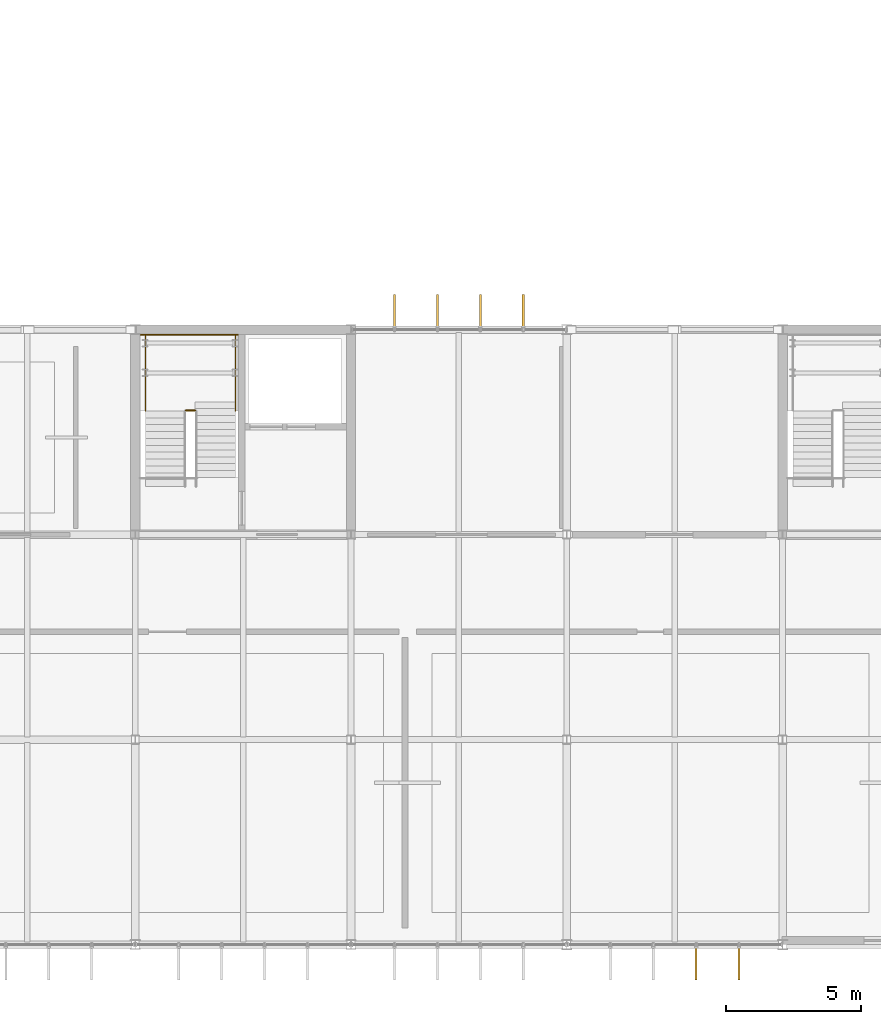
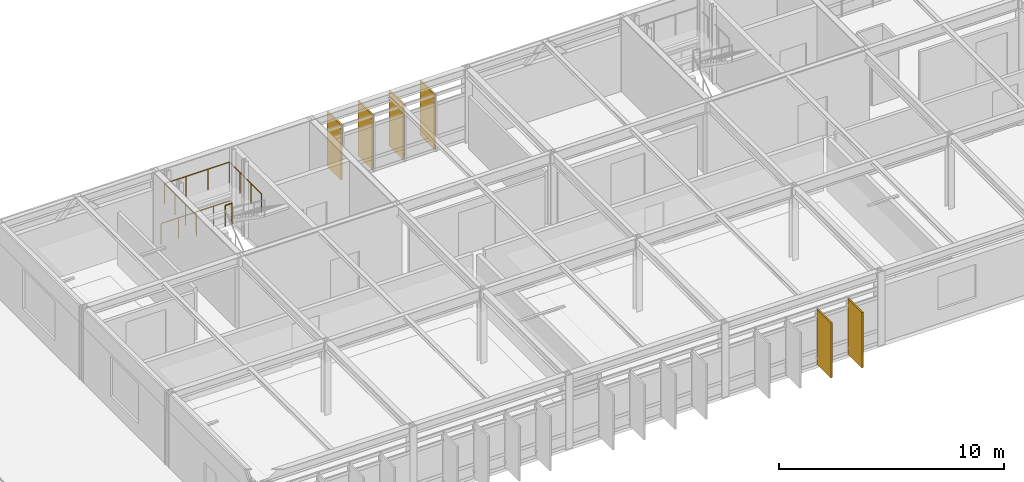
# One storey, part 40 of 45: 6 shading devices, 3 railings.
"""IFC4 building model written with IfcOpenShell, lengths in metres."""

import ifcopenshell
import ifcopenshell.guid

model = None  # the IFC model being written
_history = None  # IfcOwnerHistory: only IFC2X3 demands one
_inside = {}  # id of a spatial element -> (the spatial element, [elements in it])
_under = {}  # id of a project, library or spatial element -> (it, [spatial elements below it])
_declared = {}  # id of a project -> (the project, [libraries it declares])
_typed = {}  # id of a type object -> (the type object, [elements of that type])
_made_of = {}  # id of a material, layer set ... -> (it, [elements and type objects made of it])


def new_model(schema):
    """Start an empty IFC model of exactly this schema.

    Asked for "IFC4X3", IfcOpenShell would pick the latest addendum, in which some entities
    have other attributes; the version numbers below select the first issue.
    IFC2X3 requires an IfcOwnerHistory on every rooted entity: one is made here for all.
    """
    global model, _history
    if schema == "IFC4X3":
        model = ifcopenshell.file(schema_version=(4, 3, 0, 0))
    else:
        model = ifcopenshell.file(schema=schema)
    _inside.clear()
    _under.clear()
    _declared.clear()
    _typed.clear()
    _made_of.clear()
    _history = None
    if model.schema == "IFC2X3":
        org = make("IfcOrganization", Name="unknown")
        user = make(
            "IfcPersonAndOrganization",
            ThePerson=make("IfcPerson", FamilyName="unknown"),
            TheOrganization=org,
        )
        app = make(
            "IfcApplication",
            ApplicationDeveloper=org,
            Version="unknown",
            ApplicationFullName="unknown",
            ApplicationIdentifier="unknown",
        )
        _history = make(
            "IfcOwnerHistory",
            OwningUser=user,
            OwningApplication=app,
            ChangeAction="ADDED",
            CreationDate=0,
        )
    return model


def make(cls, **values):
    """One entity of the class cls with the attributes given. An attribute that is None is left unset."""
    return model.create_entity(
        cls, **{name: value for name, value in values.items() if value is not None}
    )


def rooted(cls, **values):
    """An entity with a GlobalId (a new one), such as an element, a storey or a relation."""
    return make(cls, GlobalId=ifcopenshell.guid.new(), OwnerHistory=_history, **values)


def si_unit(unit_type, name, prefix=None):
    """IfcSIUnit, for example si_unit("LENGTHUNIT", "METRE", prefix="MILLI")."""
    return make("IfcSIUnit", UnitType=unit_type, Prefix=prefix, Name=name)


def assignment(units):
    """IfcUnitAssignment: the units of a project."""
    return None if units is None else make("IfcUnitAssignment", Units=units)


def point(xyz):
    """IfcCartesianPoint."""
    return None if xyz is None else make("IfcCartesianPoint", Coordinates=xyz)


def direction(xyz):
    """IfcDirection."""
    return None if xyz is None else make("IfcDirection", DirectionRatios=xyz)


def frame(location, z_axis=None, x_axis=None):
    """IfcAxis2Placement3D, a coordinate frame: its origin and axes. An axis left out is left unset."""
    return make(
        "IfcAxis2Placement3D",
        Location=point(location),
        Axis=direction(z_axis),
        RefDirection=direction(x_axis),
    )


def frame_2d(location, x_axis=None):
    """IfcAxis2Placement2D, a coordinate frame in the plane: its origin and x axis."""
    return make(
        "IfcAxis2Placement2D", Location=point(location), RefDirection=direction(x_axis)
    )


def origin():
    """The frame at (0, 0, 0) with its axes left unset."""
    return frame((0.0, 0.0, 0.0))


def origin_2d():
    """The frame at (0, 0) in the plane with its x axis left unset."""
    return frame_2d((0.0, 0.0))


def place(relative_to, where):
    """IfcLocalPlacement: puts the frame where relative to a parent placement (None: the world)."""
    return make(
        "IfcLocalPlacement", PlacementRelTo=relative_to, RelativePlacement=where
    )


def context(
    kind, dimensions, precision=None, world=None, true_north=None, identifier=None
):
    """IfcGeometricRepresentationContext, for example the 3D "Model" context."""
    return make(
        "IfcGeometricRepresentationContext",
        ContextIdentifier=identifier,
        ContextType=kind,
        CoordinateSpaceDimension=dimensions,
        Precision=precision,
        WorldCoordinateSystem=world,
        TrueNorth=true_north,
    )


def subcontext(parent, identifier, kind, view, scale=None):
    """IfcGeometricRepresentationSubContext, for example "Body" below "Model"."""
    return make(
        "IfcGeometricRepresentationSubContext",
        ContextIdentifier=identifier,
        ContextType=kind,
        ParentContext=parent,
        TargetScale=scale,
        TargetView=view,
    )


def project(units=None, contexts=None):
    """IfcProject with its units and contexts."""
    return rooted(
        "IfcProject",
        Name="project",
        RepresentationContexts=contexts,
        UnitsInContext=assignment(units),
    )


def spatial(cls, under=None, at=None, **own):
    """A site, building, storey or space (cls), placed at a placement, below another one or the project."""
    s = rooted(cls, ObjectPlacement=at, **own)
    if under is not None:
        _under.setdefault(under.id(), (under, []))[1].append(s)
    return s


def profile(cls, at=None, kind="AREA", **sizes):
    """A parametric profile (cls). Its sizes go by their IFC names, for example OverallWidth=200.0."""
    return make(cls, ProfileType=kind, Position=at, **sizes)


def rectangle(**sizes):
    """IfcRectangleProfileDef."""
    return profile("IfcRectangleProfileDef", **sizes)


def circle(**sizes):
    """IfcCircleProfileDef."""
    return profile("IfcCircleProfileDef", **sizes)


def extrude(swept, where, along, depth):
    """IfcExtrudedAreaSolid: the profile swept, set in the frame where, extruded along a direction by depth."""
    return make(
        "IfcExtrudedAreaSolid",
        SweptArea=swept,
        Position=where,
        ExtrudedDirection=direction(along),
        Depth=depth,
    )


def shape(context_of_items, identifier, shape_type, items):
    """IfcShapeRepresentation: the items that make up one representation, for example the "Body"."""
    return make(
        "IfcShapeRepresentation",
        ContextOfItems=context_of_items,
        RepresentationIdentifier=identifier,
        RepresentationType=shape_type,
        Items=items,
    )


def material(Name=None, Category=None):
    """IfcMaterial."""
    return make("IfcMaterial", Name=Name, Category=Category)


def made_of(thing, what):
    """Note that an element or type object is made of a material, layer set ...; save() writes the relation."""
    if what is not None:
        _made_of.setdefault(what.id(), (what, []))[1].append(thing)
    return thing


def type_object(cls, material=None, **own):
    """A type object (cls), such as IfcWallType, which elements share."""
    return made_of(rooted(cls, **own), material)


def element(
    cls,
    number,
    at=None,
    inside=None,
    cuts=None,
    type_object=None,
    material=None,
    context=None,
    identifier="Body",
    shape_type=None,
    held_by="IfcProductDefinitionShape",
    body=None,
    shapes=None,
    **own,
):
    """One element of the class cls, such as IfcWall. Its Tag is "e" and its number.

    at: its placement. inside: the storey or other place that contains it. cuts: it is an
    opening in that element (IfcRelVoidsElement). A single representation is given by context,
    identifier, shape_type and body (its items); several are given by shapes. held_by: the class
    of the entity that holds the representations. save() writes the other relations.
    """
    e = rooted(cls, Tag="e%d" % number, ObjectPlacement=at, **own)
    if body is not None:
        shapes = [shape(context, identifier, shape_type, body)]
    if shapes is not None:
        e.Representation = make(held_by, Representations=shapes)
    if inside is not None:
        _inside.setdefault(inside.id(), (inside, []))[1].append(e)
    if cuts is not None:
        rooted(
            "IfcRelVoidsElement", RelatingBuildingElement=cuts, RelatedOpeningElement=e
        )
    if type_object is not None:
        _typed.setdefault(type_object.id(), (type_object, []))[1].append(e)
    return made_of(e, material)


def aggregate(whole, parts):
    """IfcRelAggregates: a whole, such as a stair, and the parts it consists of."""
    return rooted("IfcRelAggregates", RelatingObject=whole, RelatedObjects=parts)


def save(model, path):
    """Write the relations noted so far, then the file.

    IfcRelAggregates (storeys below a building ...), IfcRelContainedInSpatialStructure (elements
    in a storey), IfcRelDefinesByType, IfcRelAssociatesMaterial and IfcRelDeclares: one each for
    every whole, place, type object, material and project.
    """
    for whole, parts in _under.values():
        aggregate(whole, parts)
    for where, things in _inside.values():
        rooted(
            "IfcRelContainedInSpatialStructure",
            RelatedElements=things,
            RelatingStructure=where,
        )
    for kind, things in _typed.values():
        rooted("IfcRelDefinesByType", RelatedObjects=things, RelatingType=kind)
    for what, things in _made_of.values():
        rooted("IfcRelAssociatesMaterial", RelatedObjects=things, RelatingMaterial=what)
    for by, libraries in _declared.values():
        rooted("IfcRelDeclares", RelatingContext=by, RelatedDefinitions=libraries)
    model.write(path)


model = new_model("IFC4")

# Units and contexts
model_context = context("Model", 3, precision=1e-05, world=origin(), true_north=direction((0.0, 1.0)))
body_context = subcontext(model_context, "Body", "Model", "MODEL_VIEW")
ifc_project = project(units=[si_unit("LENGTHUNIT", "METRE"), si_unit("AREAUNIT", "SQUARE_METRE"), si_unit("VOLUMEUNIT", "CUBIC_METRE"), si_unit("PLANEANGLEUNIT", "RADIAN"), si_unit("MASSUNIT", "GRAM", prefix="KILO")], contexts=[model_context])

# Site, building, storey
site_placement = place(None, origin())
site = spatial("IfcSite", under=ifc_project, at=site_placement, CompositionType="ELEMENT")
building_placement = place(site_placement, origin())
building = spatial("IfcBuilding", under=site, at=building_placement, Name="Zulena Civic Courthouse", CompositionType="ELEMENT")
storey_placement = place(building_placement, frame((0.0, 0.0, 29.39990234375)))
storey = spatial("IfcBuildingStorey", under=building, at=storey_placement, Name="L06", CompositionType="ELEMENT", Elevation=29.39990234375)

# Shading devices
ifc_material_1 = material(Name="Gold anodised architectural aluminium AA6063-T6", Category="aluminium")
shading_device_type = type_object("IfcShadingDeviceType", Name="GoldSolarFin_300", PredefinedType="USERDEFINED", material=ifc_material_1)
for number, where, z_axis, x_axis, name in (
    (1, (29.614501953125, 23.485107421875, 0.05029296875), (0.0, 0.0, 1.0), (0.0, 1.0, 0.0), "fin:V2:L06:1:2:1"),
    (2, (31.204833984375, 23.485107421875, 0.05029296875), (0.0, 0.0, 1.0), (0.0, 1.0, 0.0), "fin:V2:L06:1:2:2"),
    (3, (32.795166015625, 23.485107421875, 0.05029296875), (0.0, 0.0, 1.0), (0.0, 1.0, 0.0), "fin:V2:L06:1:2:3"),
    (4, (34.385498046875, 23.485107421875, 0.05029296875), (0.0, 0.0, 1.0), (0.0, 1.0, 0.0), "fin:V2:L06:1:2:4"),
    (5, (42.385498046875, -0.68505859375, 0.05029296875), (0.0, 0.0, 1.0), (0.0, -1.0, 0.0), "fin:V2:L06:3:3:1"),
    (6, (40.795166015625, -0.68505859375, 0.05029296875), (0.0, 0.0, 1.0), (0.0, -1.0, 0.0), "fin:V2:L06:3:3:2"),
):
    element("IfcShadingDevice", number, at=place(storey_placement, frame(where, z_axis=z_axis, x_axis=x_axis)), inside=storey, type_object=shading_device_type, Name=name, ObjectType="FIN", PredefinedType="USERDEFINED", context=body_context, shape_type="SweptSolid", body=[
        extrude(rectangle(XDim=1.25, YDim=0.080078125, at=origin_2d()), origin(), (0.0, 0.0, 1.0), 2.989990234375),
    ])

# Railings
ifc_material_2 = material(Name="Brushed architectural steel ASTM A36", Category="steel")
railing_type = type_object("IfcRailingType", Name="InteriorGuardrail_1150", PredefinedType="GUARDRAIL", material=ifc_material_2)
railing_1_placement = place(storey_placement, frame((20.199951171875, 22.610107421875, 0.0)))
element("IfcRailing", 7, at=railing_1_placement, inside=storey, type_object=railing_type, Name="gr:wellN:K2A:L05", PredefinedType="GUARDRAIL", context=body_context, shape_type="SweptSolid", body=[
    extrude(circle(Radius=0.02392578125, at=origin_2d()), frame((0.00390625, 0.0, 1.1259765625), z_axis=(1.0, 0.0, 0.0), x_axis=(0.0, 1.0, 0.0)), (0.0, 0.0, 1.0), 3.592041015625),
    extrude(circle(Radius=0.02099609375, at=origin_2d()), origin(), (0.0, 0.0, 1.0), 1.097900390625),
    extrude(circle(Radius=0.02099609375, at=origin_2d()), frame((0.89990234375, 0.0, 0.0)), (0.0, 0.0, 1.0), 1.097900390625),
    extrude(circle(Radius=0.02099609375, at=origin_2d()), frame((1.800048828125, 0.0, 0.0)), (0.0, 0.0, 1.0), 1.097900390625),
    extrude(circle(Radius=0.02099609375, at=origin_2d()), frame((2.7001953125, 0.0, 0.0)), (0.0, 0.0, 1.0), 1.097900390625),
    extrude(circle(Radius=0.02099609375, at=origin_2d()), frame((3.60009765625, 0.0, 0.0)), (0.0, 0.0, 1.0), 1.097900390625),
])
railing_2_placement = place(storey_placement, frame((20.3798828125, 19.78466796875, 2.10009765625)))
element("IfcRailing", 8, at=railing_2_placement, inside=storey, type_object=railing_type, Name="gr:lnd:K2A:L06", PredefinedType="GUARDRAIL", context=body_context, shape_type="SweptSolid", body=[
    extrude(circle(Radius=0.02392578125, at=origin_2d()), frame((0.0, 0.00390625, 1.1259765625), z_axis=(0.0, 1.0, 0.0), x_axis=(-1.0, 0.0, 0.0)), (0.0, 0.0, 1.0), 2.827392578125),
    extrude(circle(Radius=0.02392578125, at=origin_2d()), frame((0.00390625, 2.83544921875, 1.1259765625), z_axis=(1.0, 0.0, 0.0), x_axis=(0.0, 1.0, 0.0)), (0.0, 0.0, 1.0), 3.33203125),
    extrude(circle(Radius=0.02392578125, at=origin_2d()), frame((3.340087890625, 2.83154296875, 1.1259765625), z_axis=(0.0, -1.0, 0.0), x_axis=(1.0, 0.0, 0.0)), (0.0, 0.0, 1.0), 2.827392578125),
    extrude(circle(Radius=0.02099609375, at=origin_2d()), origin(), (0.0, 0.0, 1.0), 1.097900390625),
    extrude(circle(Radius=0.02099609375, at=origin_2d()), frame((0.0, 0.945068359375, 0.0)), (0.0, 0.0, 1.0), 1.097900390625),
    extrude(circle(Radius=0.02099609375, at=origin_2d()), frame((0.0, 1.890380859375, 0.0)), (0.0, 0.0, 1.0), 1.097900390625),
    extrude(circle(Radius=0.02099609375, at=origin_2d()), frame((0.0, 2.83544921875, 0.0)), (0.0, 0.0, 1.0), 1.097900390625),
    extrude(circle(Radius=0.02099609375, at=origin_2d()), frame((1.11328125, 2.83544921875, 0.0)), (0.0, 0.0, 1.0), 1.097900390625),
    extrude(circle(Radius=0.02099609375, at=origin_2d()), frame((2.226806640625, 2.83544921875, 0.0)), (0.0, 0.0, 1.0), 1.097900390625),
    extrude(circle(Radius=0.02099609375, at=origin_2d()), frame((3.340087890625, 2.83544921875, 0.0)), (0.0, 0.0, 1.0), 1.097900390625),
    extrude(circle(Radius=0.02099609375, at=origin_2d()), frame((3.340087890625, 1.890380859375, 0.0)), (0.0, 0.0, 1.0), 1.097900390625),
    extrude(circle(Radius=0.02099609375, at=origin_2d()), frame((3.340087890625, 0.945068359375, 0.0)), (0.0, 0.0, 1.0), 1.097900390625),
    extrude(circle(Radius=0.02099609375, at=origin_2d()), frame((3.340087890625, 0.0, 0.0)), (0.0, 0.0, 1.0), 1.097900390625),
])
railing_3_placement = place(storey_placement, frame((21.8798828125, 19.804931640625, 2.10009765625)))
element("IfcRailing", 9, at=railing_3_placement, inside=storey, type_object=railing_type, Name="gr:lndslot:K2A:L06", PredefinedType="GUARDRAIL", context=body_context, shape_type="SweptSolid", body=[
    extrude(circle(Radius=0.02392578125, at=origin_2d()), frame((0.00390625, 0.0, 1.1259765625), z_axis=(1.0, 0.0, 0.0), x_axis=(0.0, 1.0, 0.0)), (0.0, 0.0, 1.0), 0.33203125),
    extrude(circle(Radius=0.02099609375, at=origin_2d()), origin(), (0.0, 0.0, 1.0), 1.097900390625),
    extrude(circle(Radius=0.02099609375, at=origin_2d()), frame((0.340087890625, 0.0, 0.0)), (0.0, 0.0, 1.0), 1.097900390625),
])

save(model, "model.ifc")
